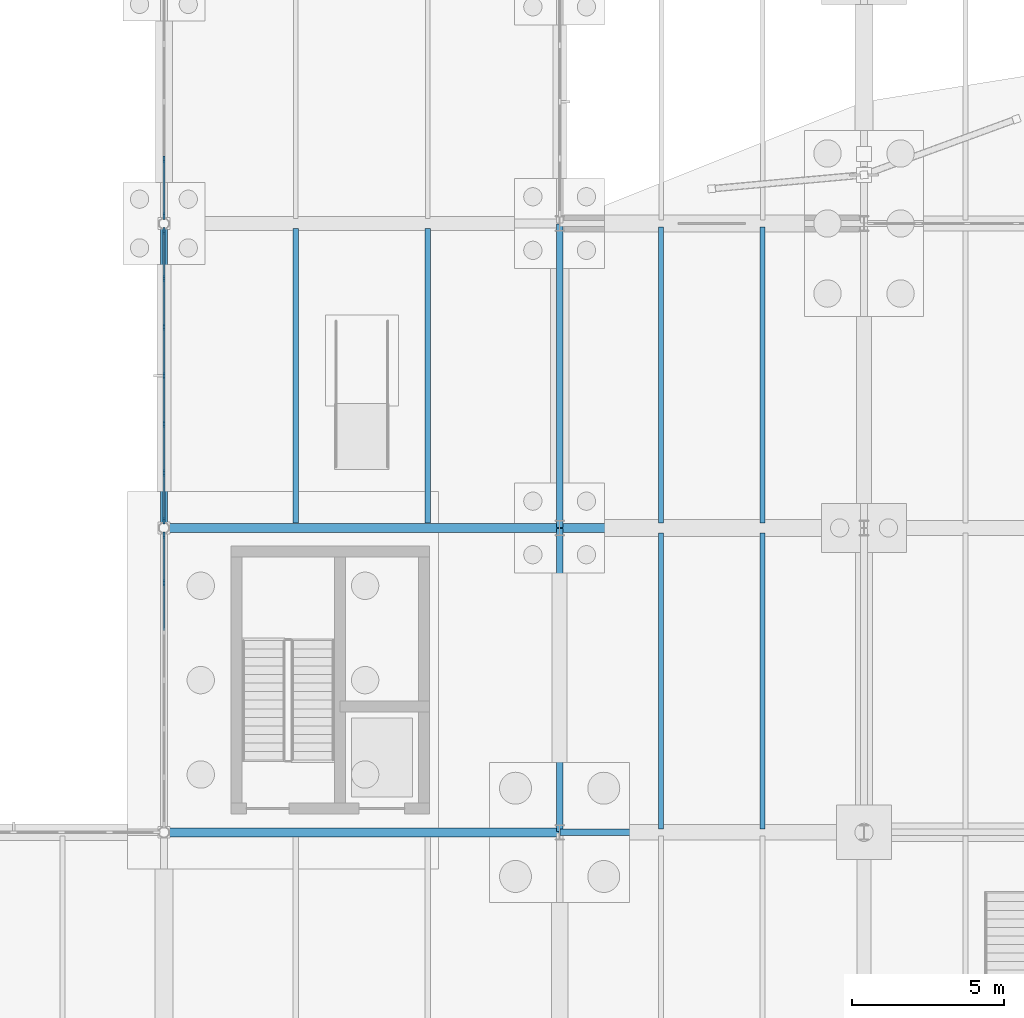
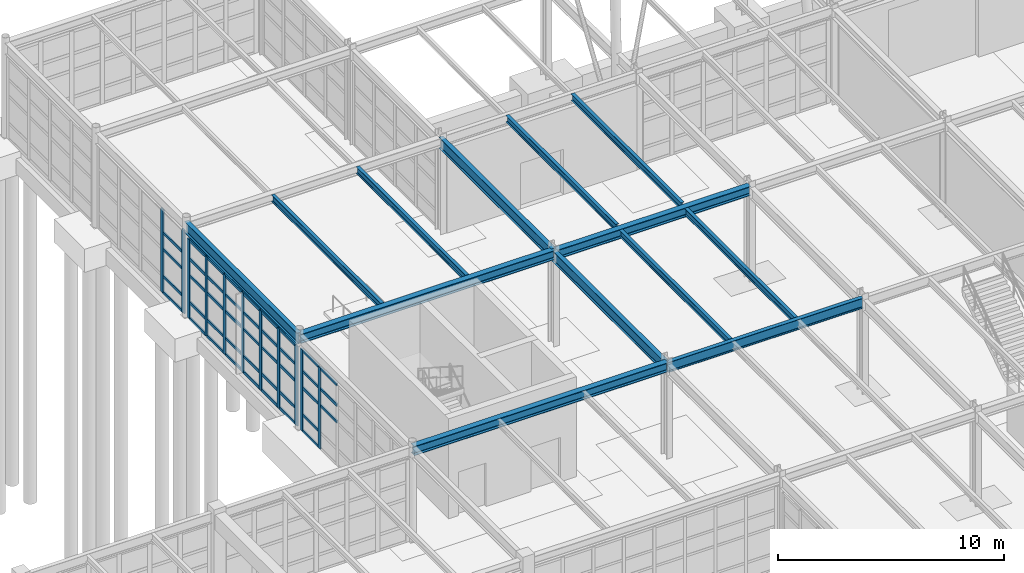
# One storey, part 52 of 145: 53 members, 13 beams, 3 elements without a shape of their own.
"""IFC4 building model written with IfcOpenShell, lengths in metres."""

from ifc_helpers import new_model, si_unit, direction, frame, origin, origin_2d, place, context, subcontext, project, spatial, rectangle, i_section, extrude, material, layer, layer_set, material_profile, profile_set, type_object, element, aggregate, save


model = new_model("IFC4")

# Units and contexts
model_context = context("Model", 3, precision=1e-05, world=origin(), true_north=direction((0.0, 1.0)))
body_context = subcontext(model_context, "Body", "Model", "MODEL_VIEW")
ifc_project = project(units=[si_unit("LENGTHUNIT", "METRE"), si_unit("AREAUNIT", "SQUARE_METRE"), si_unit("VOLUMEUNIT", "CUBIC_METRE"), si_unit("PLANEANGLEUNIT", "RADIAN"), si_unit("MASSUNIT", "GRAM", prefix="KILO"), si_unit("THERMODYNAMICTEMPERATUREUNIT", "KELVIN"), si_unit("POWERUNIT", "WATT")], contexts=[model_context])

# Site, building, storey
site_placement = place(None, origin())
site = spatial("IfcSite", under=ifc_project, at=site_placement, CompositionType="ELEMENT")
building_placement = place(site_placement, origin())
building = spatial("IfcBuilding", under=site, at=building_placement, Name="Korenveer Ferry Terminal", CompositionType="ELEMENT")
storey_placement = place(building_placement, origin())
storey = spatial("IfcBuildingStorey", under=building, at=storey_placement, Name="L00", CompositionType="ELEMENT", Elevation=0.0)

# Curtain wall, members
ifc_material_1 = material(Name="Unitised bronze-and-glass curtain wall", Category="glass")
ifc_layer_1 = layer(ifc_material_1, 0.219970703125)
ifc_layer_set_1 = layer_set([ifc_layer_1], Name="Unitised bronze-and-glass curtain wall")
curtain_wall_type_1 = type_object("IfcCurtainWallType", Name="ENV-CW-21", PredefinedType="USERDEFINED", material=ifc_layer_set_1)
curtain_wall_1_placement = place(storey_placement, frame((40.0, 80.207763671875, 0.0)))
curtain_wall_1 = element("IfcCurtainWall", 1, at=curtain_wall_1_placement, inside=storey, type_object=curtain_wall_type_1, Name="Lancet curtain wall CWX-L00-X40-40-Y80-90", ObjectType="UNITISED CURTAIN WALL", PredefinedType="USERDEFINED")
ifc_material_2 = material(Name="Anodised bronze aluminium", Category="aluminium")
ifc_material_profile_1 = material_profile(ifc_material_2, rectangle(XDim=0.074951171875, YDim=0.219970703125, at=origin_2d()), Name="ALU 75x220")
ifc_profile_set_1 = profile_set([ifc_material_profile_1], Name="Anodised bronze aluminium")
member_type_1 = type_object("IfcMemberType", Name="ENV-CWM-75X220", PredefinedType="MULLION", material=ifc_profile_set_1)
member_1_placement = place(storey_placement, frame((40.0, 88.19482421875, 0.0), z_axis=(0.0, 0.0, 1.0), x_axis=(-1.0, 0.0, 0.0)))
member_1 = element("IfcMember", 2, at=member_1_placement, type_object=member_type_1, Name="CW-21 mullion 6", PredefinedType="MULLION", context=body_context, shape_type="SweptSolid", body=[
    extrude(rectangle(XDim=0.074951171875, YDim=0.219970703125, at=origin_2d()), origin(), (0.0, 0.0, 1.0), 4.389892578125),
])
member_2_placement = place(storey_placement, frame((40.0, 89.754638671875, 0.0), z_axis=(0.0, 0.0, 1.0), x_axis=(-1.0, 0.0, 0.0)))
member_2 = element("IfcMember", 3, at=member_2_placement, type_object=member_type_1, Name="CW-21 mullion 7", PredefinedType="MULLION", context=body_context, shape_type="SweptSolid", body=[
    extrude(rectangle(XDim=0.074951171875, YDim=0.219970703125, at=origin_2d()), origin(), (0.0, 0.0, 1.0), 4.389892578125),
])

ifc_layer_2 = layer(ifc_material_1, 0.219970703125)
ifc_layer_set_2 = layer_set([ifc_layer_2], Name="Unitised bronze-and-glass curtain wall")
curtain_wall_type_2 = type_object("IfcCurtainWallType", Name="ENV-CW-22", PredefinedType="USERDEFINED", material=ifc_layer_set_2)
curtain_wall_2_placement = place(storey_placement, frame((40.0, 90.207763671875, 0.0)))
curtain_wall_2 = element("IfcCurtainWall", 4, at=curtain_wall_2_placement, inside=storey, type_object=curtain_wall_type_2, Name="Lancet curtain wall CWX-L00-X40-40-Y90-100", ObjectType="UNITISED CURTAIN WALL", PredefinedType="USERDEFINED")
member_3_placement = place(storey_placement, frame((40.0, 90.245361328125, 0.0), z_axis=(0.0, 0.0, 1.0), x_axis=(-1.0, 0.0, 0.0)))
member_3 = element("IfcMember", 5, at=member_3_placement, type_object=member_type_1, Name="CW-22 mullion 1", PredefinedType="MULLION", context=body_context, shape_type="SweptSolid", body=[
    extrude(rectangle(XDim=0.074951171875, YDim=0.219970703125, at=origin_2d()), origin(), (0.0, 0.0, 1.0), 4.2900390625),
])
member_4_placement = place(storey_placement, frame((40.0, 91.80517578125, 0.0), z_axis=(0.0, 0.0, 1.0), x_axis=(-1.0, 0.0, 0.0)))
member_4 = element("IfcMember", 6, at=member_4_placement, type_object=member_type_1, Name="CW-22 mullion 2", PredefinedType="MULLION", context=body_context, shape_type="SweptSolid", body=[
    extrude(rectangle(XDim=0.074951171875, YDim=0.219970703125, at=origin_2d()), origin(), (0.0, 0.0, 1.0), 4.2900390625),
])
member_5_placement = place(storey_placement, frame((40.0, 93.402587890625, 0.0), z_axis=(0.0, 0.0, 1.0), x_axis=(-1.0, 0.0, 0.0)))
member_5 = element("IfcMember", 7, at=member_5_placement, type_object=member_type_1, Name="CW-22 mullion 3", PredefinedType="MULLION", context=body_context, shape_type="SweptSolid", body=[
    extrude(rectangle(XDim=0.074951171875, YDim=0.219970703125, at=origin_2d()), origin(), (0.0, 0.0, 1.0), 4.2900390625),
])
member_6_placement = place(storey_placement, frame((40.0, 95.0, 0.0), z_axis=(0.0, 0.0, 1.0), x_axis=(-1.0, 0.0, 0.0)))
member_6 = element("IfcMember", 8, at=member_6_placement, type_object=member_type_1, Name="CW-22 mullion 4", PredefinedType="MULLION", context=body_context, shape_type="SweptSolid", body=[
    extrude(rectangle(XDim=0.074951171875, YDim=0.219970703125, at=origin_2d()), origin(), (0.0, 0.0, 1.0), 4.2900390625),
])
member_7_placement = place(storey_placement, frame((40.0, 96.597412109375, 0.0), z_axis=(0.0, 0.0, 1.0), x_axis=(-1.0, 0.0, 0.0)))
member_7 = element("IfcMember", 9, at=member_7_placement, type_object=member_type_1, Name="CW-22 mullion 5", PredefinedType="MULLION", context=body_context, shape_type="SweptSolid", body=[
    extrude(rectangle(XDim=0.074951171875, YDim=0.219970703125, at=origin_2d()), origin(), (0.0, 0.0, 1.0), 4.2900390625),
])
member_8_placement = place(storey_placement, frame((40.0, 98.19482421875, 0.0), z_axis=(0.0, 0.0, 1.0), x_axis=(-1.0, 0.0, 0.0)))
member_8 = element("IfcMember", 10, at=member_8_placement, type_object=member_type_1, Name="CW-22 mullion 6", PredefinedType="MULLION", context=body_context, shape_type="SweptSolid", body=[
    extrude(rectangle(XDim=0.074951171875, YDim=0.219970703125, at=origin_2d()), origin(), (0.0, 0.0, 1.0), 4.2900390625),
])
member_9_placement = place(storey_placement, frame((40.0, 99.754638671875, 0.0), z_axis=(0.0, 0.0, 1.0), x_axis=(-1.0, 0.0, 0.0)))
member_9 = element("IfcMember", 11, at=member_9_placement, type_object=member_type_1, Name="CW-22 mullion 7", PredefinedType="MULLION", context=body_context, shape_type="SweptSolid", body=[
    extrude(rectangle(XDim=0.074951171875, YDim=0.219970703125, at=origin_2d()), origin(), (0.0, 0.0, 1.0), 4.2900390625),
])

ifc_layer_3 = layer(ifc_material_1, 0.219970703125)
ifc_layer_set_3 = layer_set([ifc_layer_3], Name="Unitised bronze-and-glass curtain wall")
curtain_wall_type_3 = type_object("IfcCurtainWallType", Name="ENV-CW-23", PredefinedType="USERDEFINED", material=ifc_layer_set_3)
curtain_wall_3_placement = place(storey_placement, frame((40.0, 100.207763671875, 0.0)))
curtain_wall_3 = element("IfcCurtainWall", 12, at=curtain_wall_3_placement, inside=storey, type_object=curtain_wall_type_3, Name="Lancet curtain wall CWX-L00-X40-40-Y100-108", ObjectType="UNITISED CURTAIN WALL", PredefinedType="USERDEFINED")
member_10_placement = place(storey_placement, frame((40.0, 100.245361328125, 0.0), z_axis=(0.0, 0.0, 1.0), x_axis=(-1.0, 0.0, 0.0)))
member_10 = element("IfcMember", 13, at=member_10_placement, type_object=member_type_1, Name="CW-23 mullion 1", PredefinedType="MULLION", context=body_context, shape_type="SweptSolid", body=[
    extrude(rectangle(XDim=0.074951171875, YDim=0.219970703125, at=origin_2d()), origin(), (0.0, 0.0, 1.0), 4.489990234375),
])
member_11_placement = place(storey_placement, frame((40.0, 102.10400390625, 0.0), z_axis=(0.0, 0.0, 1.0), x_axis=(-1.0, 0.0, 0.0)))
member_11 = element("IfcMember", 14, at=member_11_placement, type_object=member_type_1, Name="CW-23 mullion 2", PredefinedType="MULLION", context=body_context, shape_type="SweptSolid", body=[
    extrude(rectangle(XDim=0.074951171875, YDim=0.219970703125, at=origin_2d()), origin(), (0.0, 0.0, 1.0), 4.489990234375),
])

# Member
ifc_material_profile_2 = material_profile(ifc_material_2, rectangle(XDim=0.074951171875, YDim=0.14990234375, at=origin_2d()), Name="ALU 75x150")
ifc_profile_set_2 = profile_set([ifc_material_profile_2], Name="Anodised bronze aluminium")
member_type_2 = type_object("IfcMemberType", Name="ENV-CWT-75X150", PredefinedType="USERDEFINED", material=ifc_profile_set_2)
member_12_placement = place(storey_placement, frame((40.0, 86.635009765625, 2.35009765625), z_axis=(0.0, 1.0, 0.0), x_axis=(-1.0, 0.0, 0.0)))
member_12 = element("IfcMember", 15, at=member_12_placement, type_object=member_type_2, Name="CW-21 transom 5.3", ObjectType="TRANSOM", PredefinedType="USERDEFINED", context=body_context, shape_type="SweptSolid", body=[
    extrude(rectangle(XDim=0.074951171875, YDim=0.14990234375, at=origin_2d()), origin(), (0.0, 0.0, 1.0), 1.522216796875),
])

member_13_placement = place(storey_placement, frame((40.0, 86.635009765625, 3.25), z_axis=(0.0, 1.0, 0.0), x_axis=(-1.0, 0.0, 0.0)))
member_13 = element("IfcMember", 16, at=member_13_placement, type_object=member_type_2, Name="CW-21 transom 5.4", ObjectType="TRANSOM", PredefinedType="USERDEFINED", context=body_context, shape_type="SweptSolid", body=[
    extrude(rectangle(XDim=0.074951171875, YDim=0.14990234375, at=origin_2d()), origin(), (0.0, 0.0, 1.0), 1.522216796875),
])

member_14_placement = place(storey_placement, frame((40.0, 86.635009765625, 4.3525390625), z_axis=(0.0, 1.0, 0.0), x_axis=(-1.0, 0.0, 0.0)))
member_14 = element("IfcMember", 17, at=member_14_placement, type_object=member_type_2, Name="CW-21 transom 5.5", ObjectType="TRANSOM", PredefinedType="USERDEFINED", context=body_context, shape_type="SweptSolid", body=[
    extrude(rectangle(XDim=0.074951171875, YDim=0.14990234375, at=origin_2d()), origin(), (0.0, 0.0, 1.0), 1.522216796875),
])

member_15_placement = place(storey_placement, frame((40.0, 88.232421875, 0.03759765625), z_axis=(0.0, 1.0, 0.0), x_axis=(-1.0, 0.0, 0.0)))
member_15 = element("IfcMember", 18, at=member_15_placement, type_object=member_type_2, Name="CW-21 transom 6.1", ObjectType="TRANSOM", PredefinedType="USERDEFINED", context=body_context, shape_type="SweptSolid", body=[
    extrude(rectangle(XDim=0.074951171875, YDim=0.14990234375, at=origin_2d()), origin(), (0.0, 0.0, 1.0), 1.48486328125),
])

member_16_placement = place(storey_placement, frame((40.0, 88.232421875, 0.89990234375), z_axis=(0.0, 1.0, 0.0), x_axis=(-1.0, 0.0, 0.0)))
member_16 = element("IfcMember", 19, at=member_16_placement, type_object=member_type_2, Name="CW-21 transom 6.2", ObjectType="TRANSOM", PredefinedType="USERDEFINED", context=body_context, shape_type="SweptSolid", body=[
    extrude(rectangle(XDim=0.074951171875, YDim=0.14990234375, at=origin_2d()), origin(), (0.0, 0.0, 1.0), 1.48486328125),
])

member_17_placement = place(storey_placement, frame((40.0, 88.232421875, 2.35009765625), z_axis=(0.0, 1.0, 0.0), x_axis=(-1.0, 0.0, 0.0)))
member_17 = element("IfcMember", 20, at=member_17_placement, type_object=member_type_2, Name="CW-21 transom 6.3", ObjectType="TRANSOM", PredefinedType="USERDEFINED", context=body_context, shape_type="SweptSolid", body=[
    extrude(rectangle(XDim=0.074951171875, YDim=0.14990234375, at=origin_2d()), origin(), (0.0, 0.0, 1.0), 1.48486328125),
])

member_18_placement = place(storey_placement, frame((40.0, 88.232421875, 3.25), z_axis=(0.0, 1.0, 0.0), x_axis=(-1.0, 0.0, 0.0)))
member_18 = element("IfcMember", 21, at=member_18_placement, type_object=member_type_2, Name="CW-21 transom 6.4", ObjectType="TRANSOM", PredefinedType="USERDEFINED", context=body_context, shape_type="SweptSolid", body=[
    extrude(rectangle(XDim=0.074951171875, YDim=0.14990234375, at=origin_2d()), origin(), (0.0, 0.0, 1.0), 1.48486328125),
])

member_19_placement = place(storey_placement, frame((40.0, 88.232421875, 4.3525390625), z_axis=(0.0, 1.0, 0.0), x_axis=(-1.0, 0.0, 0.0)))
member_19 = element("IfcMember", 22, at=member_19_placement, type_object=member_type_2, Name="CW-21 transom 6.5", ObjectType="TRANSOM", PredefinedType="USERDEFINED", context=body_context, shape_type="SweptSolid", body=[
    extrude(rectangle(XDim=0.074951171875, YDim=0.14990234375, at=origin_2d()), origin(), (0.0, 0.0, 1.0), 1.48486328125),
])

aggregate(curtain_wall_1, [member_1, member_2, member_12, member_13, member_14, member_15, member_16, member_17, member_18, member_19])

member_20_placement = place(storey_placement, frame((40.0, 90.28271484375, 0.03759765625), z_axis=(0.0, 1.0, 0.0), x_axis=(-1.0, 0.0, 0.0)))
member_20 = element("IfcMember", 23, at=member_20_placement, type_object=member_type_2, Name="CW-22 transom 1.1", ObjectType="TRANSOM", PredefinedType="USERDEFINED", context=body_context, shape_type="SweptSolid", body=[
    extrude(rectangle(XDim=0.074951171875, YDim=0.14990234375, at=origin_2d()), origin(), (0.0, 0.0, 1.0), 1.48486328125),
])

member_21_placement = place(storey_placement, frame((40.0, 90.28271484375, 0.89990234375), z_axis=(0.0, 1.0, 0.0), x_axis=(-1.0, 0.0, 0.0)))
member_21 = element("IfcMember", 24, at=member_21_placement, type_object=member_type_2, Name="CW-22 transom 1.2", ObjectType="TRANSOM", PredefinedType="USERDEFINED", context=body_context, shape_type="SweptSolid", body=[
    extrude(rectangle(XDim=0.074951171875, YDim=0.14990234375, at=origin_2d()), origin(), (0.0, 0.0, 1.0), 1.48486328125),
])

member_22_placement = place(storey_placement, frame((40.0, 90.28271484375, 2.35009765625), z_axis=(0.0, 1.0, 0.0), x_axis=(-1.0, 0.0, 0.0)))
member_22 = element("IfcMember", 25, at=member_22_placement, type_object=member_type_2, Name="CW-22 transom 1.3", ObjectType="TRANSOM", PredefinedType="USERDEFINED", context=body_context, shape_type="SweptSolid", body=[
    extrude(rectangle(XDim=0.074951171875, YDim=0.14990234375, at=origin_2d()), origin(), (0.0, 0.0, 1.0), 1.48486328125),
])

member_23_placement = place(storey_placement, frame((40.0, 90.28271484375, 3.25), z_axis=(0.0, 1.0, 0.0), x_axis=(-1.0, 0.0, 0.0)))
member_23 = element("IfcMember", 26, at=member_23_placement, type_object=member_type_2, Name="CW-22 transom 1.4", ObjectType="TRANSOM", PredefinedType="USERDEFINED", context=body_context, shape_type="SweptSolid", body=[
    extrude(rectangle(XDim=0.074951171875, YDim=0.14990234375, at=origin_2d()), origin(), (0.0, 0.0, 1.0), 1.48486328125),
])

member_24_placement = place(storey_placement, frame((40.0, 90.28271484375, 4.25244140625), z_axis=(0.0, 1.0, 0.0), x_axis=(-1.0, 0.0, 0.0)))
member_24 = element("IfcMember", 27, at=member_24_placement, type_object=member_type_2, Name="CW-22 transom 1.5", ObjectType="TRANSOM", PredefinedType="USERDEFINED", context=body_context, shape_type="SweptSolid", body=[
    extrude(rectangle(XDim=0.074951171875, YDim=0.14990234375, at=origin_2d()), origin(), (0.0, 0.0, 1.0), 1.48486328125),
])

member_25_placement = place(storey_placement, frame((40.0, 91.8427734375, 0.03759765625), z_axis=(0.0, 1.0, 0.0), x_axis=(-1.0, 0.0, 0.0)))
member_25 = element("IfcMember", 28, at=member_25_placement, type_object=member_type_2, Name="CW-22 transom 2.1", ObjectType="TRANSOM", PredefinedType="USERDEFINED", context=body_context, shape_type="SweptSolid", body=[
    extrude(rectangle(XDim=0.074951171875, YDim=0.14990234375, at=origin_2d()), origin(), (0.0, 0.0, 1.0), 1.522216796875),
])

member_26_placement = place(storey_placement, frame((40.0, 91.8427734375, 0.89990234375), z_axis=(0.0, 1.0, 0.0), x_axis=(-1.0, 0.0, 0.0)))
member_26 = element("IfcMember", 29, at=member_26_placement, type_object=member_type_2, Name="CW-22 transom 2.2", ObjectType="TRANSOM", PredefinedType="USERDEFINED", context=body_context, shape_type="SweptSolid", body=[
    extrude(rectangle(XDim=0.074951171875, YDim=0.14990234375, at=origin_2d()), origin(), (0.0, 0.0, 1.0), 1.522216796875),
])

member_27_placement = place(storey_placement, frame((40.0, 91.8427734375, 2.35009765625), z_axis=(0.0, 1.0, 0.0), x_axis=(-1.0, 0.0, 0.0)))
member_27 = element("IfcMember", 30, at=member_27_placement, type_object=member_type_2, Name="CW-22 transom 2.3", ObjectType="TRANSOM", PredefinedType="USERDEFINED", context=body_context, shape_type="SweptSolid", body=[
    extrude(rectangle(XDim=0.074951171875, YDim=0.14990234375, at=origin_2d()), origin(), (0.0, 0.0, 1.0), 1.522216796875),
])

member_28_placement = place(storey_placement, frame((40.0, 91.8427734375, 3.25), z_axis=(0.0, 1.0, 0.0), x_axis=(-1.0, 0.0, 0.0)))
member_28 = element("IfcMember", 31, at=member_28_placement, type_object=member_type_2, Name="CW-22 transom 2.4", ObjectType="TRANSOM", PredefinedType="USERDEFINED", context=body_context, shape_type="SweptSolid", body=[
    extrude(rectangle(XDim=0.074951171875, YDim=0.14990234375, at=origin_2d()), origin(), (0.0, 0.0, 1.0), 1.522216796875),
])

member_29_placement = place(storey_placement, frame((40.0, 91.8427734375, 4.25244140625), z_axis=(0.0, 1.0, 0.0), x_axis=(-1.0, 0.0, 0.0)))
member_29 = element("IfcMember", 32, at=member_29_placement, type_object=member_type_2, Name="CW-22 transom 2.5", ObjectType="TRANSOM", PredefinedType="USERDEFINED", context=body_context, shape_type="SweptSolid", body=[
    extrude(rectangle(XDim=0.074951171875, YDim=0.14990234375, at=origin_2d()), origin(), (0.0, 0.0, 1.0), 1.522216796875),
])

member_30_placement = place(storey_placement, frame((40.0, 93.440185546875, 0.03759765625), z_axis=(0.0, 1.0, 0.0), x_axis=(-1.0, 0.0, 0.0)))
member_30 = element("IfcMember", 33, at=member_30_placement, type_object=member_type_2, Name="CW-22 transom 3.1", ObjectType="TRANSOM", PredefinedType="USERDEFINED", context=body_context, shape_type="SweptSolid", body=[
    extrude(rectangle(XDim=0.074951171875, YDim=0.14990234375, at=origin_2d()), origin(), (0.0, 0.0, 1.0), 1.522216796875),
])

member_31_placement = place(storey_placement, frame((40.0, 93.440185546875, 0.89990234375), z_axis=(0.0, 1.0, 0.0), x_axis=(-1.0, 0.0, 0.0)))
member_31 = element("IfcMember", 34, at=member_31_placement, type_object=member_type_2, Name="CW-22 transom 3.2", ObjectType="TRANSOM", PredefinedType="USERDEFINED", context=body_context, shape_type="SweptSolid", body=[
    extrude(rectangle(XDim=0.074951171875, YDim=0.14990234375, at=origin_2d()), origin(), (0.0, 0.0, 1.0), 1.522216796875),
])

member_32_placement = place(storey_placement, frame((40.0, 93.440185546875, 2.35009765625), z_axis=(0.0, 1.0, 0.0), x_axis=(-1.0, 0.0, 0.0)))
member_32 = element("IfcMember", 35, at=member_32_placement, type_object=member_type_2, Name="CW-22 transom 3.3", ObjectType="TRANSOM", PredefinedType="USERDEFINED", context=body_context, shape_type="SweptSolid", body=[
    extrude(rectangle(XDim=0.074951171875, YDim=0.14990234375, at=origin_2d()), origin(), (0.0, 0.0, 1.0), 1.522216796875),
])

member_33_placement = place(storey_placement, frame((40.0, 93.440185546875, 3.25), z_axis=(0.0, 1.0, 0.0), x_axis=(-1.0, 0.0, 0.0)))
member_33 = element("IfcMember", 36, at=member_33_placement, type_object=member_type_2, Name="CW-22 transom 3.4", ObjectType="TRANSOM", PredefinedType="USERDEFINED", context=body_context, shape_type="SweptSolid", body=[
    extrude(rectangle(XDim=0.074951171875, YDim=0.14990234375, at=origin_2d()), origin(), (0.0, 0.0, 1.0), 1.522216796875),
])

member_34_placement = place(storey_placement, frame((40.0, 93.440185546875, 4.25244140625), z_axis=(0.0, 1.0, 0.0), x_axis=(-1.0, 0.0, 0.0)))
member_34 = element("IfcMember", 37, at=member_34_placement, type_object=member_type_2, Name="CW-22 transom 3.5", ObjectType="TRANSOM", PredefinedType="USERDEFINED", context=body_context, shape_type="SweptSolid", body=[
    extrude(rectangle(XDim=0.074951171875, YDim=0.14990234375, at=origin_2d()), origin(), (0.0, 0.0, 1.0), 1.522216796875),
])

member_35_placement = place(storey_placement, frame((40.0, 95.03759765625, 0.03759765625), z_axis=(0.0, 1.0, 0.0), x_axis=(-1.0, 0.0, 0.0)))
member_35 = element("IfcMember", 38, at=member_35_placement, type_object=member_type_2, Name="CW-22 transom 4.1", ObjectType="TRANSOM", PredefinedType="USERDEFINED", context=body_context, shape_type="SweptSolid", body=[
    extrude(rectangle(XDim=0.074951171875, YDim=0.14990234375, at=origin_2d()), origin(), (0.0, 0.0, 1.0), 1.522216796875),
])

member_36_placement = place(storey_placement, frame((40.0, 95.03759765625, 0.89990234375), z_axis=(0.0, 1.0, 0.0), x_axis=(-1.0, 0.0, 0.0)))
member_36 = element("IfcMember", 39, at=member_36_placement, type_object=member_type_2, Name="CW-22 transom 4.2", ObjectType="TRANSOM", PredefinedType="USERDEFINED", context=body_context, shape_type="SweptSolid", body=[
    extrude(rectangle(XDim=0.074951171875, YDim=0.14990234375, at=origin_2d()), origin(), (0.0, 0.0, 1.0), 1.522216796875),
])

member_37_placement = place(storey_placement, frame((40.0, 95.03759765625, 2.35009765625), z_axis=(0.0, 1.0, 0.0), x_axis=(-1.0, 0.0, 0.0)))
member_37 = element("IfcMember", 40, at=member_37_placement, type_object=member_type_2, Name="CW-22 transom 4.3", ObjectType="TRANSOM", PredefinedType="USERDEFINED", context=body_context, shape_type="SweptSolid", body=[
    extrude(rectangle(XDim=0.074951171875, YDim=0.14990234375, at=origin_2d()), origin(), (0.0, 0.0, 1.0), 1.522216796875),
])

member_38_placement = place(storey_placement, frame((40.0, 95.03759765625, 3.25), z_axis=(0.0, 1.0, 0.0), x_axis=(-1.0, 0.0, 0.0)))
member_38 = element("IfcMember", 41, at=member_38_placement, type_object=member_type_2, Name="CW-22 transom 4.4", ObjectType="TRANSOM", PredefinedType="USERDEFINED", context=body_context, shape_type="SweptSolid", body=[
    extrude(rectangle(XDim=0.074951171875, YDim=0.14990234375, at=origin_2d()), origin(), (0.0, 0.0, 1.0), 1.522216796875),
])

member_39_placement = place(storey_placement, frame((40.0, 95.03759765625, 4.25244140625), z_axis=(0.0, 1.0, 0.0), x_axis=(-1.0, 0.0, 0.0)))
member_39 = element("IfcMember", 42, at=member_39_placement, type_object=member_type_2, Name="CW-22 transom 4.5", ObjectType="TRANSOM", PredefinedType="USERDEFINED", context=body_context, shape_type="SweptSolid", body=[
    extrude(rectangle(XDim=0.074951171875, YDim=0.14990234375, at=origin_2d()), origin(), (0.0, 0.0, 1.0), 1.522216796875),
])

member_40_placement = place(storey_placement, frame((40.0, 96.635009765625, 0.03759765625), z_axis=(0.0, 1.0, 0.0), x_axis=(-1.0, 0.0, 0.0)))
member_40 = element("IfcMember", 43, at=member_40_placement, type_object=member_type_2, Name="CW-22 transom 5.1", ObjectType="TRANSOM", PredefinedType="USERDEFINED", context=body_context, shape_type="SweptSolid", body=[
    extrude(rectangle(XDim=0.074951171875, YDim=0.14990234375, at=origin_2d()), origin(), (0.0, 0.0, 1.0), 1.522216796875),
])

member_41_placement = place(storey_placement, frame((40.0, 96.635009765625, 0.89990234375), z_axis=(0.0, 1.0, 0.0), x_axis=(-1.0, 0.0, 0.0)))
member_41 = element("IfcMember", 44, at=member_41_placement, type_object=member_type_2, Name="CW-22 transom 5.2", ObjectType="TRANSOM", PredefinedType="USERDEFINED", context=body_context, shape_type="SweptSolid", body=[
    extrude(rectangle(XDim=0.074951171875, YDim=0.14990234375, at=origin_2d()), origin(), (0.0, 0.0, 1.0), 1.522216796875),
])

member_42_placement = place(storey_placement, frame((40.0, 96.635009765625, 2.35009765625), z_axis=(0.0, 1.0, 0.0), x_axis=(-1.0, 0.0, 0.0)))
member_42 = element("IfcMember", 45, at=member_42_placement, type_object=member_type_2, Name="CW-22 transom 5.3", ObjectType="TRANSOM", PredefinedType="USERDEFINED", context=body_context, shape_type="SweptSolid", body=[
    extrude(rectangle(XDim=0.074951171875, YDim=0.14990234375, at=origin_2d()), origin(), (0.0, 0.0, 1.0), 1.522216796875),
])

member_43_placement = place(storey_placement, frame((40.0, 96.635009765625, 3.25), z_axis=(0.0, 1.0, 0.0), x_axis=(-1.0, 0.0, 0.0)))
member_43 = element("IfcMember", 46, at=member_43_placement, type_object=member_type_2, Name="CW-22 transom 5.4", ObjectType="TRANSOM", PredefinedType="USERDEFINED", context=body_context, shape_type="SweptSolid", body=[
    extrude(rectangle(XDim=0.074951171875, YDim=0.14990234375, at=origin_2d()), origin(), (0.0, 0.0, 1.0), 1.522216796875),
])

member_44_placement = place(storey_placement, frame((40.0, 96.635009765625, 4.25244140625), z_axis=(0.0, 1.0, 0.0), x_axis=(-1.0, 0.0, 0.0)))
member_44 = element("IfcMember", 47, at=member_44_placement, type_object=member_type_2, Name="CW-22 transom 5.5", ObjectType="TRANSOM", PredefinedType="USERDEFINED", context=body_context, shape_type="SweptSolid", body=[
    extrude(rectangle(XDim=0.074951171875, YDim=0.14990234375, at=origin_2d()), origin(), (0.0, 0.0, 1.0), 1.522216796875),
])

member_45_placement = place(storey_placement, frame((40.0, 98.232421875, 0.03759765625), z_axis=(0.0, 1.0, 0.0), x_axis=(-1.0, 0.0, 0.0)))
member_45 = element("IfcMember", 48, at=member_45_placement, type_object=member_type_2, Name="CW-22 transom 6.1", ObjectType="TRANSOM", PredefinedType="USERDEFINED", context=body_context, shape_type="SweptSolid", body=[
    extrude(rectangle(XDim=0.074951171875, YDim=0.14990234375, at=origin_2d()), origin(), (0.0, 0.0, 1.0), 1.48486328125),
])

member_46_placement = place(storey_placement, frame((40.0, 98.232421875, 0.89990234375), z_axis=(0.0, 1.0, 0.0), x_axis=(-1.0, 0.0, 0.0)))
member_46 = element("IfcMember", 49, at=member_46_placement, type_object=member_type_2, Name="CW-22 transom 6.2", ObjectType="TRANSOM", PredefinedType="USERDEFINED", context=body_context, shape_type="SweptSolid", body=[
    extrude(rectangle(XDim=0.074951171875, YDim=0.14990234375, at=origin_2d()), origin(), (0.0, 0.0, 1.0), 1.48486328125),
])

member_47_placement = place(storey_placement, frame((40.0, 98.232421875, 2.35009765625), z_axis=(0.0, 1.0, 0.0), x_axis=(-1.0, 0.0, 0.0)))
member_47 = element("IfcMember", 50, at=member_47_placement, type_object=member_type_2, Name="CW-22 transom 6.3", ObjectType="TRANSOM", PredefinedType="USERDEFINED", context=body_context, shape_type="SweptSolid", body=[
    extrude(rectangle(XDim=0.074951171875, YDim=0.14990234375, at=origin_2d()), origin(), (0.0, 0.0, 1.0), 1.48486328125),
])

member_48_placement = place(storey_placement, frame((40.0, 98.232421875, 3.25), z_axis=(0.0, 1.0, 0.0), x_axis=(-1.0, 0.0, 0.0)))
member_48 = element("IfcMember", 51, at=member_48_placement, type_object=member_type_2, Name="CW-22 transom 6.4", ObjectType="TRANSOM", PredefinedType="USERDEFINED", context=body_context, shape_type="SweptSolid", body=[
    extrude(rectangle(XDim=0.074951171875, YDim=0.14990234375, at=origin_2d()), origin(), (0.0, 0.0, 1.0), 1.48486328125),
])

member_49_placement = place(storey_placement, frame((40.0, 98.232421875, 4.25244140625), z_axis=(0.0, 1.0, 0.0), x_axis=(-1.0, 0.0, 0.0)))
member_49 = element("IfcMember", 52, at=member_49_placement, type_object=member_type_2, Name="CW-22 transom 6.5", ObjectType="TRANSOM", PredefinedType="USERDEFINED", context=body_context, shape_type="SweptSolid", body=[
    extrude(rectangle(XDim=0.074951171875, YDim=0.14990234375, at=origin_2d()), origin(), (0.0, 0.0, 1.0), 1.48486328125),
])

aggregate(curtain_wall_2, [member_3, member_4, member_5, member_6, member_7, member_8, member_9, member_20, member_21, member_22, member_23, member_24, member_25, member_26, member_27, member_28, member_29, member_30, member_31, member_32, member_33, member_34, member_35, member_36, member_37, member_38, member_39, member_40, member_41, member_42, member_43, member_44, member_45, member_46, member_47, member_48, member_49])

member_50_placement = place(storey_placement, frame((40.0, 100.28271484375, 0.03759765625), z_axis=(0.0, 1.0, 0.0), x_axis=(-1.0, 0.0, 0.0)))
member_50 = element("IfcMember", 53, at=member_50_placement, type_object=member_type_2, Name="CW-23 transom 1.1", ObjectType="TRANSOM", PredefinedType="USERDEFINED", context=body_context, shape_type="SweptSolid", body=[
    extrude(rectangle(XDim=0.074951171875, YDim=0.14990234375, at=origin_2d()), origin(), (0.0, 0.0, 1.0), 1.78369140625),
])

member_51_placement = place(storey_placement, frame((40.0, 100.28271484375, 0.89990234375), z_axis=(0.0, 1.0, 0.0), x_axis=(-1.0, 0.0, 0.0)))
member_51 = element("IfcMember", 54, at=member_51_placement, type_object=member_type_2, Name="CW-23 transom 1.2", ObjectType="TRANSOM", PredefinedType="USERDEFINED", context=body_context, shape_type="SweptSolid", body=[
    extrude(rectangle(XDim=0.074951171875, YDim=0.14990234375, at=origin_2d()), origin(), (0.0, 0.0, 1.0), 1.78369140625),
])

member_52_placement = place(storey_placement, frame((40.0, 100.28271484375, 2.35009765625), z_axis=(0.0, 1.0, 0.0), x_axis=(-1.0, 0.0, 0.0)))
member_52 = element("IfcMember", 55, at=member_52_placement, type_object=member_type_2, Name="CW-23 transom 1.3", ObjectType="TRANSOM", PredefinedType="USERDEFINED", context=body_context, shape_type="SweptSolid", body=[
    extrude(rectangle(XDim=0.074951171875, YDim=0.14990234375, at=origin_2d()), origin(), (0.0, 0.0, 1.0), 1.78369140625),
])

member_53_placement = place(storey_placement, frame((40.0, 100.28271484375, 3.25), z_axis=(0.0, 1.0, 0.0), x_axis=(-1.0, 0.0, 0.0)))
member_53 = element("IfcMember", 56, at=member_53_placement, type_object=member_type_2, Name="CW-23 transom 1.4", ObjectType="TRANSOM", PredefinedType="USERDEFINED", context=body_context, shape_type="SweptSolid", body=[
    extrude(rectangle(XDim=0.074951171875, YDim=0.14990234375, at=origin_2d()), origin(), (0.0, 0.0, 1.0), 1.78369140625),
])

aggregate(curtain_wall_3, [member_10, member_11, member_50, member_51, member_52, member_53])

# Beams
ifc_material_3 = material(Name="Steel S355", Category="steel")
ifc_material_profile_3 = material_profile(ifc_material_3, i_section(OverallWidth=0.300048828125, OverallDepth=0.5, WebThickness=0.014404296875, FlangeThickness=0.028076171875, FilletRadius=0.027099609375, at=origin_2d()), Name="HEB 500")
ifc_profile_set_3 = profile_set([ifc_material_profile_3], Name="Steel S355")
beam_type_1 = type_object("IfcBeamType", Name="STR-BM-HEB500", PredefinedType="BEAM", material=ifc_profile_set_3)
for number, where, z_axis, x_axis, name in (
    (57, (40.02001953125, 80.0, 4.8701171875), (1.0, 0.0, 0.0), (0.0, 1.0, 0.0), "Primary X girder BMX-L01-X40-53-Y80"),
    (58, (40.02001953125, 90.0, 4.8701171875), (1.0, 0.0, 0.0), (0.0, 1.0, 0.0), "Primary X girder BMX-L01-X40-53-Y90"),
):
    element("IfcBeam", number, at=place(storey_placement, frame(where, z_axis=z_axis, x_axis=x_axis)), inside=storey, type_object=beam_type_1, Name=name, PredefinedType="BEAM", context=body_context, shape_type="SweptSolid", body=[
        extrude(i_section(OverallWidth=0.300048828125, OverallDepth=0.5, WebThickness=0.014404296875, FlangeThickness=0.028076171875, FilletRadius=0.027099609375, at=origin_2d()), origin(), (0.0, 0.0, 1.0), 12.9599609375),
    ])
beam_1_placement = place(storey_placement, frame((53.02001953125, 90.0, 4.830078125), z_axis=(1.0, 0.0, 0.0), x_axis=(0.0, 1.0, 0.0)))
element("IfcBeam", 59, at=beam_1_placement, inside=storey, type_object=beam_type_1, Name="Primary X girder BMX-L01-X53-63-Y90", PredefinedType="BEAM", context=body_context, shape_type="SweptSolid", body=[
    extrude(i_section(OverallWidth=0.300048828125, OverallDepth=0.5, WebThickness=0.014404296875, FlangeThickness=0.028076171875, FilletRadius=0.027099609375, at=origin_2d()), origin(), (0.0, 0.0, 1.0), 9.9599609375),
])
ifc_material_profile_4 = material_profile(ifc_material_3, i_section(OverallWidth=0.2099609375, OverallDepth=0.550048828125, WebThickness=0.010986328125, FlangeThickness=0.01708984375, FilletRadius=0.02392578125, at=origin_2d()), Name="IPE 550")
ifc_profile_set_4 = profile_set([ifc_material_profile_4], Name="Steel S355")
beam_type_2 = type_object("IfcBeamType", Name="STR-BM-IPE550", PredefinedType="BEAM", material=ifc_profile_set_4)
beam_2_placement = place(storey_placement, frame((53.02001953125, 80.0, 4.804931640625), z_axis=(1.0, 0.0, 0.0), x_axis=(0.0, 1.0, 0.0)))
element("IfcBeam", 60, at=beam_2_placement, inside=storey, type_object=beam_type_2, Name="Primary X girder BMX-L01-X53-63-Y80", PredefinedType="BEAM", context=body_context, shape_type="SweptSolid", body=[
    extrude(i_section(OverallWidth=0.2099609375, OverallDepth=0.550048828125, WebThickness=0.010986328125, FlangeThickness=0.01708984375, FilletRadius=0.02392578125, at=origin_2d()), origin(), (0.0, 0.0, 1.0), 9.9599609375),
])
ifc_material_profile_5 = material_profile(ifc_material_3, i_section(OverallWidth=0.219970703125, OverallDepth=0.60009765625, WebThickness=0.011962890625, FlangeThickness=0.01904296875, FilletRadius=0.02392578125, at=origin_2d()), Name="IPE 600")
ifc_profile_set_5 = profile_set([ifc_material_profile_5], Name="Steel S355")
beam_type_3 = type_object("IfcBeamType", Name="STR-BM-IPE600", PredefinedType="BEAM", material=ifc_profile_set_5)
for number, where, z_axis, x_axis, name in (
    (61, (40.0, 90.02001953125, 4.820068359375), (0.0, 1.0, 0.0), (-1.0, 0.0, 0.0), "Primary Y girder BMY-L01-X40-Y90-100"),
    (62, (53.0, 80.02001953125, 4.780029296875), (0.0, 1.0, 0.0), (-1.0, 0.0, 0.0), "Primary Y girder BMY-L01-X53-Y80-90"),
    (63, (53.0, 90.02001953125, 4.820068359375), (0.0, 1.0, 0.0), (-1.0, 0.0, 0.0), "Primary Y girder BMY-L01-X53-Y90-100"),
):
    element("IfcBeam", number, at=place(storey_placement, frame(where, z_axis=z_axis, x_axis=x_axis)), inside=storey, type_object=beam_type_3, Name=name, PredefinedType="BEAM", context=body_context, shape_type="SweptSolid", body=[
        extrude(i_section(OverallWidth=0.219970703125, OverallDepth=0.60009765625, WebThickness=0.011962890625, FlangeThickness=0.01904296875, FilletRadius=0.02392578125, at=origin_2d()), origin(), (0.0, 0.0, 1.0), 9.9599609375),
    ])
ifc_material_profile_6 = material_profile(ifc_material_3, i_section(OverallWidth=0.169921875, OverallDepth=0.360107421875, WebThickness=0.008056640625, FlangeThickness=0.0126953125, FilletRadius=0.01806640625, at=origin_2d()), Name="IPE 360")
ifc_profile_set_6 = profile_set([ifc_material_profile_6], Name="Steel S355")
beam_type_4 = type_object("IfcBeamType", Name="STR-JST-IPE360", PredefinedType="JOIST", material=ifc_profile_set_6)
for number, where, z_axis, x_axis, name in (
    (64, (44.333251953125, 90.159912109375, 4.93994140625), (0.0, 1.0, 0.0), (-1.0, 0.0, 0.0), "Secondary composite joist JST-L01-X443-Y90-100"),
    (65, (48.666748046875, 90.159912109375, 4.93994140625), (0.0, 1.0, 0.0), (-1.0, 0.0, 0.0), "Secondary composite joist JST-L01-X487-Y90-100"),
):
    element("IfcBeam", number, at=place(storey_placement, frame(where, z_axis=z_axis, x_axis=x_axis)), inside=storey, type_object=beam_type_4, Name=name, PredefinedType="JOIST", context=body_context, shape_type="SweptSolid", body=[
        extrude(i_section(OverallWidth=0.169921875, OverallDepth=0.360107421875, WebThickness=0.008056640625, FlangeThickness=0.0126953125, FilletRadius=0.01806640625, at=origin_2d()), origin(), (0.0, 0.0, 1.0), 9.68017578125),
    ])
for number, where, z_axis, x_axis, name in (
    (66, (56.333251953125, 80.114990234375, 4.89990234375), (0.0, 1.0, 0.0), (-1.0, 0.0, 0.0), "Secondary composite joist JST-L01-X563-Y80-90"),
    (67, (59.666748046875, 80.114990234375, 4.89990234375), (0.0, 1.0, 0.0), (-1.0, 0.0, 0.0), "Secondary composite joist JST-L01-X597-Y80-90"),
    (68, (56.333251953125, 90.159912109375, 5.0), (0.0, 1.0, 0.0), (-1.0, 0.0, 0.0), "Secondary composite joist JST-L01-X563-Y90-100"),
    (69, (59.666748046875, 90.159912109375, 5.0), (0.0, 1.0, 0.0), (-1.0, 0.0, 0.0), "Secondary composite joist JST-L01-X597-Y90-100"),
):
    element("IfcBeam", number, at=place(storey_placement, frame(where, z_axis=z_axis, x_axis=x_axis)), inside=storey, type_object=beam_type_4, Name=name, PredefinedType="JOIST", context=body_context, shape_type="SweptSolid", body=[
        extrude(i_section(OverallWidth=0.169921875, OverallDepth=0.360107421875, WebThickness=0.008056640625, FlangeThickness=0.0126953125, FilletRadius=0.01806640625, at=origin_2d()), origin(), (0.0, 0.0, 1.0), 9.72509765625),
    ])

save(model, "model.ifc")
